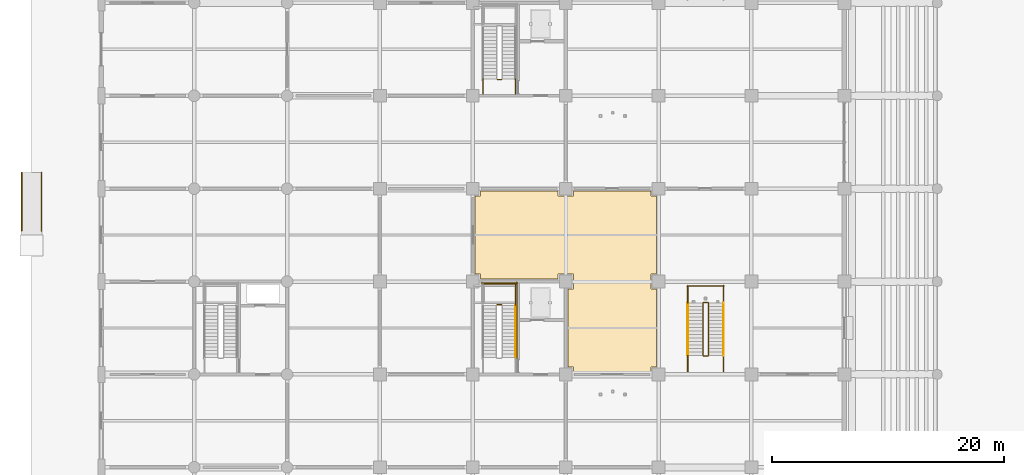
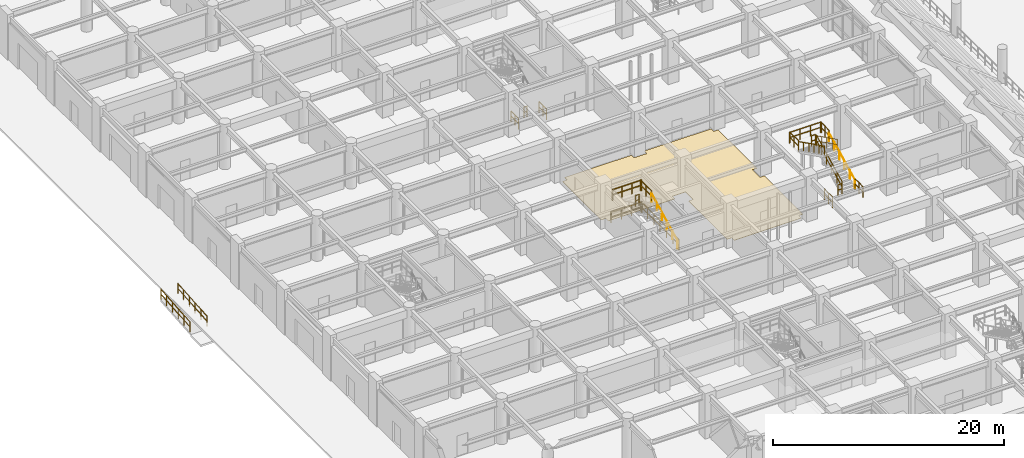
# One storey, part 109 of 125: 22 railings, 1 covering.
"""IFC4 building model written with IfcOpenShell, lengths in metres."""

from ifc_helpers import new_model, si_unit, direction, frame, origin, origin_2d, place, context, subcontext, project, spatial, polyline, circle, outline, extrude, material, layer, layer_set, type_object, element, save


model = new_model("IFC4")

# Units and contexts
model_context = context("Model", 3, precision=1e-05, world=origin(), true_north=direction((0.0, 1.0)))
body_context = subcontext(model_context, "Body", "Model", "MODEL_VIEW")
ifc_project = project(units=[si_unit("LENGTHUNIT", "METRE"), si_unit("AREAUNIT", "SQUARE_METRE"), si_unit("VOLUMEUNIT", "CUBIC_METRE"), si_unit("PLANEANGLEUNIT", "RADIAN"), si_unit("MASSUNIT", "GRAM", prefix="KILO")], contexts=[model_context])

# Site, building, storey
site_placement = place(None, origin())
site = spatial("IfcSite", under=ifc_project, at=site_placement, CompositionType="ELEMENT")
building_placement = place(site_placement, origin())
building = spatial("IfcBuilding", under=site, at=building_placement, Name="Haebicheon Civic Stadium", CompositionType="ELEMENT")
storey_placement = place(building_placement, origin())
storey = spatial("IfcBuildingStorey", under=building, at=storey_placement, Name="L01", CompositionType="ELEMENT", Elevation=0.0)

# Covering
ifc_material_1 = material(Name="Quartz epoxy resin mortar", Category="concrete")
ifc_layer = layer(ifc_material_1, 0.030029296875, Name="Quartz epoxy resin mortar")
ifc_layer_set = layer_set([ifc_layer], Name="Quartz epoxy resin mortar")
covering_type = type_object("IfcCoveringType", Name="COV-FLR-EPX", PredefinedType="FLOORING", material=ifc_layer_set)
covering_placement = place(storey_placement, origin())
element("IfcCovering", 1, at=covering_placement, inside=storey, type_object=covering_type, material=ifc_layer_set, Name="L01 Main Spectator Concourse non-slip floor finish", PredefinedType="FLOORING", context=body_context, shape_type="SweptSolid", body=[
    extrude(outline(polyline([(40.64990234375, 80.199951171875), (40.64990234375, 80.64990234375), (40.199951171875, 80.64990234375), (40.199951171875, 87.35009765625), (40.64990234375, 87.35009765625), (40.64990234375, 88.64990234375), (39.35009765625, 88.64990234375), (39.35009765625, 88.199951171875), (32.64990234375, 88.199951171875), (32.64990234375, 88.64990234375), (32.199951171875, 88.64990234375), (32.199951171875, 95.35009765625), (32.64990234375, 95.35009765625), (32.64990234375, 95.800048828125), (39.35009765625, 95.800048828125), (39.35009765625, 95.35009765625), (40.64990234375, 95.35009765625), (40.64990234375, 95.800048828125), (47.35009765625, 95.800048828125), (47.35009765625, 95.35009765625), (47.800048828125, 95.35009765625), (47.800048828125, 88.64990234375), (47.35009765625, 88.64990234375), (47.35009765625, 87.35009765625), (47.800048828125, 87.35009765625), (47.800048828125, 80.64990234375), (47.35009765625, 80.64990234375), (47.35009765625, 80.199951171875), (40.64990234375, 80.199951171875)])), origin(), (0.0, 0.0, 1.0), 0.030029296875),
])

# Railings
ifc_material_2 = material(Name="Stainless steel 316 and laminated glass", Category="steel")
railing_type_1 = type_object("IfcRailingType", Name="RL-BAL-1200", PredefinedType="BALUSTRADE", material=ifc_material_2)
for number, where, name in (
    (2, (-6.85009765625, 92.360107421875, -0.419921875), "Ramp handrail guard RMP-02 L"),
    (3, (-5.14990234375, 92.360107421875, -0.419921875), "Ramp handrail guard RMP-02 R"),
):
    element("IfcRailing", number, at=place(storey_placement, frame(where)), inside=storey, type_object=railing_type_1, material=ifc_material_2, Name=name, PredefinedType="BALUSTRADE", context=body_context, shape_type="SweptSolid", body=[
        extrude(circle(Radius=0.02392578125, at=origin_2d()), frame((0.0, 0.0, 1.076171875), z_axis=(0.0, 0.996546756972, 0.083033494259), x_axis=(-1.0, 0.0, 0.0)), (0.0, 0.0, 1.0), 5.057373046875),
        extrude(circle(Radius=0.02392578125, at=origin_2d()), frame((0.0, 0.0, 0.550048828125), z_axis=(0.0, 0.996546756972, 0.083033494259), x_axis=(-1.0, 0.0, 0.0)), (0.0, 0.0, 1.0), 5.057373046875),
        extrude(circle(Radius=0.02099609375, at=origin_2d()), origin(), (0.0, 0.0, 1.0), 1.052001953125),
        extrude(circle(Radius=0.02099609375, at=origin_2d()), frame((0.0, 1.008056640625, 0.083984375)), (0.0, 0.0, 1.0), 1.052001953125),
        extrude(circle(Radius=0.02099609375, at=origin_2d()), frame((0.0, 2.015869140625, 0.16796875)), (0.0, 0.0, 1.0), 1.052001953125),
        extrude(circle(Radius=0.02099609375, at=origin_2d()), frame((0.0, 3.02392578125, 0.251953125)), (0.0, 0.0, 1.0), 1.052001953125),
        extrude(circle(Radius=0.02099609375, at=origin_2d()), frame((0.0, 4.03173828125, 0.3359375)), (0.0, 0.0, 1.0), 1.052001953125),
        extrude(circle(Radius=0.02099609375, at=origin_2d()), frame((0.0, 5.039794921875, 0.419921875)), (0.0, 0.0, 1.0), 1.052001953125),
    ])
ifc_material_3 = material(Name="Galvanised painted steel SM355", Category="steel")
railing_type_2 = type_object("IfcRailingType", Name="RL-GRD-1150", PredefinedType="GUARDRAIL", material=ifc_material_3)
railing_1_placement = place(storey_placement, frame((34.47998046875, 86.0, 2.39990234375)))
element("IfcRailing", 4, at=railing_1_placement, inside=storey, type_object=railing_type_2, material=ifc_material_3, Name="L01 ST-03 stair guard 2", PredefinedType="GUARDRAIL", context=body_context, shape_type="SweptSolid", body=[
    extrude(circle(Radius=0.02392578125, at=origin_2d()), frame((0.0, 0.0, 1.1259765625), z_axis=(-1.0, 0.0, 0.0), x_axis=(0.0, -1.0, 0.0)), (0.0, 0.0, 1.0), 0.3798828125),
    extrude(circle(Radius=0.02392578125, at=origin_2d()), frame((0.0, 0.0, 0.574951171875), z_axis=(-1.0, 0.0, 0.0), x_axis=(0.0, -1.0, 0.0)), (0.0, 0.0, 1.0), 0.3798828125),
    extrude(circle(Radius=0.02099609375, at=origin_2d()), origin(), (0.0, 0.0, 1.0), 1.101806640625),
    extrude(circle(Radius=0.02099609375, at=origin_2d()), frame((-0.3798828125, 0.0, 0.0)), (0.0, 0.0, 1.0), 1.101806640625),
])
railing_2_placement = place(storey_placement, frame((35.68994140625, 85.949951171875, 2.39990234375)))
element("IfcRailing", 5, at=railing_2_placement, inside=storey, type_object=railing_type_2, material=ifc_material_3, Name="L01 ST-03 stair guard 3", PredefinedType="GUARDRAIL", context=body_context, shape_type="SweptSolid", body=[
    extrude(circle(Radius=0.02392578125, at=origin_2d()), frame((0.0, 0.0, 1.1259765625), z_axis=(0.0, 1.0, 0.0), x_axis=(-1.0, 0.0, 0.0)), (0.0, 0.0, 1.0), 1.89013671875),
    extrude(circle(Radius=0.02392578125, at=origin_2d()), frame((0.0, 0.0, 0.574951171875), z_axis=(0.0, 1.0, 0.0), x_axis=(-1.0, 0.0, 0.0)), (0.0, 0.0, 1.0), 1.89013671875),
    extrude(circle(Radius=0.02099609375, at=origin_2d()), origin(), (0.0, 0.0, 1.0), 1.101806640625),
    extrude(circle(Radius=0.02099609375, at=origin_2d()), frame((0.0, 0.945068359375, 0.0)), (0.0, 0.0, 1.0), 1.101806640625),
    extrude(circle(Radius=0.02099609375, at=origin_2d()), frame((0.0, 1.89013671875, 0.0)), (0.0, 0.0, 1.0), 1.101806640625),
])
railing_3_placement = place(storey_placement, frame((35.739990234375, 87.7900390625, 2.39990234375)))
element("IfcRailing", 6, at=railing_3_placement, inside=storey, type_object=railing_type_2, material=ifc_material_3, Name="L01 ST-03 stair guard 5", PredefinedType="GUARDRAIL", context=body_context, shape_type="SweptSolid", body=[
    extrude(circle(Radius=0.02392578125, at=origin_2d()), frame((0.0, 0.0, 1.1259765625), z_axis=(-1.0, 0.0, 0.0), x_axis=(0.0, -1.0, 0.0)), (0.0, 0.0, 1.0), 2.89990234375),
    extrude(circle(Radius=0.02392578125, at=origin_2d()), frame((0.0, 0.0, 0.574951171875), z_axis=(-1.0, 0.0, 0.0), x_axis=(0.0, -1.0, 0.0)), (0.0, 0.0, 1.0), 2.89990234375),
    extrude(circle(Radius=0.02099609375, at=origin_2d()), origin(), (0.0, 0.0, 1.0), 1.101806640625),
    extrude(circle(Radius=0.02099609375, at=origin_2d()), frame((-0.966552734375, 0.0, 0.0)), (0.0, 0.0, 1.0), 1.101806640625),
    extrude(circle(Radius=0.02099609375, at=origin_2d()), frame((-1.933349609375, 0.0, 0.0)), (0.0, 0.0, 1.0), 1.101806640625),
    extrude(circle(Radius=0.02099609375, at=origin_2d()), frame((-2.89990234375, 0.0, 0.0)), (0.0, 0.0, 1.0), 1.101806640625),
])
railing_4_placement = place(storey_placement, frame((35.7900390625, 81.35009765625, 0.0)))
element("IfcRailing", 7, at=railing_4_placement, inside=storey, type_object=railing_type_2, material=ifc_material_3, Name="L01 ST-03 stair guard 10", PredefinedType="GUARDRAIL", context=body_context, shape_type="SweptSolid", body=[
    extrude(circle(Radius=0.02392578125, at=origin_2d()), frame((0.0, 0.0, 1.1259765625), z_axis=(0.0, 1.0, 0.0), x_axis=(-1.0, 0.0, 0.0)), (0.0, 0.0, 1.0), 6.58984375),
    extrude(circle(Radius=0.02392578125, at=origin_2d()), frame((0.0, 0.0, 0.574951171875), z_axis=(0.0, 1.0, 0.0), x_axis=(-1.0, 0.0, 0.0)), (0.0, 0.0, 1.0), 6.58984375),
    extrude(circle(Radius=0.02099609375, at=origin_2d()), origin(), (0.0, 0.0, 1.0), 1.101806640625),
    extrude(circle(Radius=0.02099609375, at=origin_2d()), frame((0.0, 1.098388671875, 0.0)), (0.0, 0.0, 1.0), 1.101806640625),
    extrude(circle(Radius=0.02099609375, at=origin_2d()), frame((0.0, 2.196533203125, 0.0)), (0.0, 0.0, 1.0), 1.101806640625),
    extrude(circle(Radius=0.02099609375, at=origin_2d()), frame((0.0, 3.294921875, 0.0)), (0.0, 0.0, 1.0), 1.101806640625),
    extrude(circle(Radius=0.02099609375, at=origin_2d()), frame((0.0, 4.393310546875, 0.0)), (0.0, 0.0, 1.0), 1.101806640625),
    extrude(circle(Radius=0.02099609375, at=origin_2d()), frame((0.0, 5.491455078125, 0.0)), (0.0, 0.0, 1.0), 1.101806640625),
    extrude(circle(Radius=0.02099609375, at=origin_2d()), frame((0.0, 6.58984375, 0.0)), (0.0, 0.0, 1.0), 1.101806640625),
])
railing_5_placement = place(storey_placement, frame((35.840087890625, 87.889892578125, 0.0)))
element("IfcRailing", 8, at=railing_5_placement, inside=storey, type_object=railing_type_2, material=ifc_material_3, Name="L01 ST-03 stair guard 12", PredefinedType="GUARDRAIL", context=body_context, shape_type="SweptSolid", body=[
    extrude(circle(Radius=0.02392578125, at=origin_2d()), frame((0.0, 0.0, 1.1259765625), z_axis=(-1.0, 0.0, 0.0), x_axis=(0.0, -1.0, 0.0)), (0.0, 0.0, 1.0), 3.10009765625),
    extrude(circle(Radius=0.02392578125, at=origin_2d()), frame((0.0, 0.0, 0.574951171875), z_axis=(-1.0, 0.0, 0.0), x_axis=(0.0, -1.0, 0.0)), (0.0, 0.0, 1.0), 3.10009765625),
    extrude(circle(Radius=0.02099609375, at=origin_2d()), origin(), (0.0, 0.0, 1.0), 1.101806640625),
    extrude(circle(Radius=0.02099609375, at=origin_2d()), frame((-1.033447265625, 0.0, 0.0)), (0.0, 0.0, 1.0), 1.101806640625),
    extrude(circle(Radius=0.02099609375, at=origin_2d()), frame((-2.066650390625, 0.0, 0.0)), (0.0, 0.0, 1.0), 1.101806640625),
    extrude(circle(Radius=0.02099609375, at=origin_2d()), frame((-3.10009765625, 0.0, 0.0)), (0.0, 0.0, 1.0), 1.101806640625),
])
railing_6_placement = place(storey_placement, frame((34.4599609375, 105.39990234375, 0.0)))
element("IfcRailing", 9, at=railing_6_placement, inside=storey, type_object=railing_type_2, material=ifc_material_3, Name="L01 ST-04 stair guard 7", PredefinedType="GUARDRAIL", context=body_context, shape_type="SweptSolid", body=[
    extrude(circle(Radius=0.02392578125, at=origin_2d()), frame((0.0, 0.0, 1.1259765625), z_axis=(-1.0, 0.0, 0.0), x_axis=(0.0, -1.0, 0.0)), (0.0, 0.0, 1.0), 0.33984375),
    extrude(circle(Radius=0.02392578125, at=origin_2d()), frame((0.0, 0.0, 0.574951171875), z_axis=(-1.0, 0.0, 0.0), x_axis=(0.0, -1.0, 0.0)), (0.0, 0.0, 1.0), 0.33984375),
    extrude(circle(Radius=0.02099609375, at=origin_2d()), origin(), (0.0, 0.0, 1.0), 1.101806640625),
    extrude(circle(Radius=0.02099609375, at=origin_2d()), frame((-0.33984375, 0.0, 0.0)), (0.0, 0.0, 1.0), 1.101806640625),
])
for number, where, name in (
    (10, (35.68994140625, 104.159912109375, 0.0), "L01 ST-04 stair guard 8"),
    (11, (32.889892578125, 104.159912109375, 0.0), "L01 ST-04 stair guard 9"),
):
    element("IfcRailing", number, at=place(storey_placement, frame(where)), inside=storey, type_object=railing_type_2, material=ifc_material_3, Name=name, PredefinedType="GUARDRAIL", context=body_context, shape_type="SweptSolid", body=[
        extrude(circle(Radius=0.02392578125, at=origin_2d()), frame((0.0, 0.0, 1.1259765625), z_axis=(0.0, 1.0, 0.0), x_axis=(-1.0, 0.0, 0.0)), (0.0, 0.0, 1.0), 1.2900390625),
        extrude(circle(Radius=0.02392578125, at=origin_2d()), frame((0.0, 0.0, 0.574951171875), z_axis=(0.0, 1.0, 0.0), x_axis=(-1.0, 0.0, 0.0)), (0.0, 0.0, 1.0), 1.2900390625),
        extrude(circle(Radius=0.02099609375, at=origin_2d()), origin(), (0.0, 0.0, 1.0), 1.101806640625),
        extrude(circle(Radius=0.02099609375, at=origin_2d()), frame((0.0, 0.64501953125, 0.0)), (0.0, 0.0, 1.0), 1.101806640625),
        extrude(circle(Radius=0.02099609375, at=origin_2d()), frame((0.0, 1.2900390625, 0.0)), (0.0, 0.0, 1.0), 1.101806640625),
    ])
railing_7_placement = place(storey_placement, frame((52.2900390625, 81.64990234375, 0.14990234375)))
element("IfcRailing", 12, at=railing_7_placement, inside=storey, type_object=railing_type_2, material=ifc_material_3, Name="L01 VM-02 stair guard 1", PredefinedType="GUARDRAIL", context=body_context, shape_type="SweptSolid", body=[
    extrude(circle(Radius=0.02392578125, at=origin_2d()), frame((0.0, 0.0, 1.1259765625), z_axis=(0.0, 0.894427191, 0.4472135955), x_axis=(-1.0, 0.0, 0.0)), (0.0, 0.0, 1.0), 5.03125),
    extrude(circle(Radius=0.02392578125, at=origin_2d()), frame((0.0, 0.0, 0.574951171875), z_axis=(0.0, 0.894427191, 0.4472135955), x_axis=(-1.0, 0.0, 0.0)), (0.0, 0.0, 1.0), 5.03125),
    extrude(circle(Radius=0.02099609375, at=origin_2d()), origin(), (0.0, 0.0, 1.0), 1.101806640625),
    extrude(circle(Radius=0.02099609375, at=origin_2d()), frame((0.0, 0.89990234375, 0.449951171875)), (0.0, 0.0, 1.0), 1.101806640625),
    extrude(circle(Radius=0.02099609375, at=origin_2d()), frame((0.0, 1.800048828125, 0.89990234375)), (0.0, 0.0, 1.0), 1.101806640625),
    extrude(circle(Radius=0.02099609375, at=origin_2d()), frame((0.0, 2.699951171875, 1.35009765625)), (0.0, 0.0, 1.0), 1.101806640625),
    extrude(circle(Radius=0.02099609375, at=origin_2d()), frame((0.0, 3.60009765625, 1.800048828125)), (0.0, 0.0, 1.0), 1.101806640625),
    extrude(circle(Radius=0.02099609375, at=origin_2d()), frame((0.0, 4.5, 2.25)), (0.0, 0.0, 1.0), 1.101806640625),
])
railing_8_placement = place(storey_placement, frame((52.239990234375, 86.199951171875, 2.39990234375)))
element("IfcRailing", 13, at=railing_8_placement, inside=storey, type_object=railing_type_2, material=ifc_material_3, Name="L01 VM-02 stair guard 2", PredefinedType="GUARDRAIL", context=body_context, shape_type="SweptSolid", body=[
    extrude(circle(Radius=0.02392578125, at=origin_2d()), frame((0.0, 0.0, 1.1259765625), z_axis=(-1.0, 0.0, 0.0), x_axis=(0.0, -1.0, 0.0)), (0.0, 0.0, 1.0), 0.3798828125),
    extrude(circle(Radius=0.02392578125, at=origin_2d()), frame((0.0, 0.0, 0.574951171875), z_axis=(-1.0, 0.0, 0.0), x_axis=(0.0, -1.0, 0.0)), (0.0, 0.0, 1.0), 0.3798828125),
    extrude(circle(Radius=0.02099609375, at=origin_2d()), origin(), (0.0, 0.0, 1.0), 1.101806640625),
    extrude(circle(Radius=0.02099609375, at=origin_2d()), frame((-0.3798828125, 0.0, 0.0)), (0.0, 0.0, 1.0), 1.101806640625),
])
for number, where, name in (
    (14, (53.590087890625, 86.14990234375, 2.39990234375), "L01 VM-02 stair guard 3"),
    (15, (50.510009765625, 86.14990234375, 2.39990234375), "L01 VM-02 stair guard 4"),
):
    element("IfcRailing", number, at=place(storey_placement, frame(where)), inside=storey, type_object=railing_type_2, material=ifc_material_3, Name=name, PredefinedType="GUARDRAIL", context=body_context, shape_type="SweptSolid", body=[
        extrude(circle(Radius=0.02392578125, at=origin_2d()), frame((0.0, 0.0, 1.1259765625), z_axis=(0.0, 1.0, 0.0), x_axis=(-1.0, 0.0, 0.0)), (0.0, 0.0, 1.0), 1.5),
        extrude(circle(Radius=0.02392578125, at=origin_2d()), frame((0.0, 0.0, 0.574951171875), z_axis=(0.0, 1.0, 0.0), x_axis=(-1.0, 0.0, 0.0)), (0.0, 0.0, 1.0), 1.5),
        extrude(circle(Radius=0.02099609375, at=origin_2d()), origin(), (0.0, 0.0, 1.0), 1.101806640625),
        extrude(circle(Radius=0.02099609375, at=origin_2d()), frame((0.0, 0.75, 0.0)), (0.0, 0.0, 1.0), 1.101806640625),
        extrude(circle(Radius=0.02099609375, at=origin_2d()), frame((0.0, 1.5, 0.0)), (0.0, 0.0, 1.0), 1.101806640625),
    ])
railing_9_placement = place(storey_placement, frame((53.639892578125, 87.60009765625, 2.39990234375)))
element("IfcRailing", 16, at=railing_9_placement, inside=storey, type_object=railing_type_2, material=ifc_material_3, Name="L01 VM-02 stair guard 5", PredefinedType="GUARDRAIL", context=body_context, shape_type="SweptSolid", body=[
    extrude(circle(Radius=0.02392578125, at=origin_2d()), frame((0.0, 0.0, 1.1259765625), z_axis=(-1.0, 0.0, 0.0), x_axis=(0.0, -1.0, 0.0)), (0.0, 0.0, 1.0), 3.179931640625),
    extrude(circle(Radius=0.02392578125, at=origin_2d()), frame((0.0, 0.0, 0.574951171875), z_axis=(-1.0, 0.0, 0.0), x_axis=(0.0, -1.0, 0.0)), (0.0, 0.0, 1.0), 3.179931640625),
    extrude(circle(Radius=0.02099609375, at=origin_2d()), origin(), (0.0, 0.0, 1.0), 1.101806640625),
    extrude(circle(Radius=0.02099609375, at=origin_2d()), frame((-1.06005859375, 0.0, 0.0)), (0.0, 0.0, 1.0), 1.101806640625),
    extrude(circle(Radius=0.02099609375, at=origin_2d()), frame((-2.119873046875, 0.0, 0.0)), (0.0, 0.0, 1.0), 1.101806640625),
    extrude(circle(Radius=0.02099609375, at=origin_2d()), frame((-3.179931640625, 0.0, 0.0)), (0.0, 0.0, 1.0), 1.101806640625),
])
railing_10_placement = place(storey_placement, frame((51.81005859375, 86.14990234375, 2.550048828125)))
element("IfcRailing", 17, at=railing_10_placement, inside=storey, type_object=railing_type_2, material=ifc_material_3, Name="L01 VM-02 stair guard 6", PredefinedType="GUARDRAIL", context=body_context, shape_type="SweptSolid", body=[
    extrude(circle(Radius=0.02392578125, at=origin_2d()), frame((0.0, 0.0, 1.1259765625), z_axis=(0.0, -0.894427191, 0.4472135955), x_axis=(1.0, 0.0, 0.0)), (0.0, 0.0, 1.0), 5.03125),
    extrude(circle(Radius=0.02392578125, at=origin_2d()), frame((0.0, 0.0, 0.574951171875), z_axis=(0.0, -0.894427191, 0.4472135955), x_axis=(1.0, 0.0, 0.0)), (0.0, 0.0, 1.0), 5.03125),
    extrude(circle(Radius=0.02099609375, at=origin_2d()), origin(), (0.0, 0.0, 1.0), 1.101806640625),
    extrude(circle(Radius=0.02099609375, at=origin_2d()), frame((0.0, -0.89990234375, 0.449951171875)), (0.0, 0.0, 1.0), 1.101806640625),
    extrude(circle(Radius=0.02099609375, at=origin_2d()), frame((0.0, -1.800048828125, 0.89990234375)), (0.0, 0.0, 1.0), 1.101806640625),
    extrude(circle(Radius=0.02099609375, at=origin_2d()), frame((0.0, -2.699951171875, 1.35009765625)), (0.0, 0.0, 1.0), 1.101806640625),
    extrude(circle(Radius=0.02099609375, at=origin_2d()), frame((0.0, -3.60009765625, 1.800048828125)), (0.0, 0.0, 1.0), 1.101806640625),
    extrude(circle(Radius=0.02099609375, at=origin_2d()), frame((0.0, -4.5, 2.25)), (0.0, 0.0, 1.0), 1.101806640625),
])
railing_11_placement = place(storey_placement, frame((52.239990234375, 81.60009765625, 0.0)))
element("IfcRailing", 18, at=railing_11_placement, inside=storey, type_object=railing_type_2, material=ifc_material_3, Name="L01 VM-02 stair guard 7", PredefinedType="GUARDRAIL", context=body_context, shape_type="SweptSolid", body=[
    extrude(circle(Radius=0.02392578125, at=origin_2d()), frame((0.0, 0.0, 1.1259765625), z_axis=(-1.0, 0.0, 0.0), x_axis=(0.0, -1.0, 0.0)), (0.0, 0.0, 1.0), 0.3798828125),
    extrude(circle(Radius=0.02392578125, at=origin_2d()), frame((0.0, 0.0, 0.574951171875), z_axis=(-1.0, 0.0, 0.0), x_axis=(0.0, -1.0, 0.0)), (0.0, 0.0, 1.0), 0.3798828125),
    extrude(circle(Radius=0.02099609375, at=origin_2d()), origin(), (0.0, 0.0, 1.0), 1.101806640625),
    extrude(circle(Radius=0.02099609375, at=origin_2d()), frame((-0.3798828125, 0.0, 0.0)), (0.0, 0.0, 1.0), 1.101806640625),
])
for number, where, name in (
    (19, (53.590087890625, 80.25, 0.0), "L01 VM-02 stair guard 8"),
    (20, (50.510009765625, 80.25, 0.0), "L01 VM-02 stair guard 9"),
):
    element("IfcRailing", number, at=place(storey_placement, frame(where)), inside=storey, type_object=railing_type_2, material=ifc_material_3, Name=name, PredefinedType="GUARDRAIL", context=body_context, shape_type="SweptSolid", body=[
        extrude(circle(Radius=0.02392578125, at=origin_2d()), frame((0.0, 0.0, 1.1259765625), z_axis=(0.0, 1.0, 0.0), x_axis=(-1.0, 0.0, 0.0)), (0.0, 0.0, 1.0), 1.39990234375),
        extrude(circle(Radius=0.02392578125, at=origin_2d()), frame((0.0, 0.0, 0.574951171875), z_axis=(0.0, 1.0, 0.0), x_axis=(-1.0, 0.0, 0.0)), (0.0, 0.0, 1.0), 1.39990234375),
        extrude(circle(Radius=0.02099609375, at=origin_2d()), origin(), (0.0, 0.0, 1.0), 1.101806640625),
        extrude(circle(Radius=0.02099609375, at=origin_2d()), frame((0.0, 0.699951171875, 0.0)), (0.0, 0.0, 1.0), 1.101806640625),
        extrude(circle(Radius=0.02099609375, at=origin_2d()), frame((0.0, 1.39990234375, 0.0)), (0.0, 0.0, 1.0), 1.101806640625),
    ])
ifc_material_4 = material(Name="Stainless steel 316", Category="steel")
railing_type_3 = type_object("IfcRailingType", Name="RL-HND-900", PredefinedType="HANDRAIL", material=ifc_material_4)
for number, where, name in (
    (21, (35.68994140625, 81.449951171875, 0.14990234375), "L01 ST-03 stair handrail 1"),
    (22, (53.590087890625, 81.64990234375, 0.14990234375), "L01 VM-02 stair handrail 1"),
):
    element("IfcRailing", number, at=place(storey_placement, frame(where)), inside=storey, type_object=railing_type_3, material=ifc_material_4, Name=name, PredefinedType="HANDRAIL", context=body_context, shape_type="SweptSolid", body=[
        extrude(circle(Radius=0.02392578125, at=origin_2d()), frame((0.0, 0.0, 0.8759765625), z_axis=(0.0, 0.894427191, 0.4472135955), x_axis=(-1.0, 0.0, 0.0)), (0.0, 0.0, 1.0), 5.03125),
        extrude(circle(Radius=0.02099609375, at=origin_2d()), origin(), (0.0, 0.0, 1.0), 0.851806640625),
        extrude(circle(Radius=0.02099609375, at=origin_2d()), frame((0.0, 0.89990234375, 0.449951171875)), (0.0, 0.0, 1.0), 0.851806640625),
        extrude(circle(Radius=0.02099609375, at=origin_2d()), frame((0.0, 1.800048828125, 0.89990234375)), (0.0, 0.0, 1.0), 0.851806640625),
        extrude(circle(Radius=0.02099609375, at=origin_2d()), frame((0.0, 2.699951171875, 1.35009765625)), (0.0, 0.0, 1.0), 0.851806640625),
        extrude(circle(Radius=0.02099609375, at=origin_2d()), frame((0.0, 3.60009765625, 1.800048828125)), (0.0, 0.0, 1.0), 0.851806640625),
        extrude(circle(Radius=0.02099609375, at=origin_2d()), frame((0.0, 4.5, 2.25)), (0.0, 0.0, 1.0), 0.851806640625),
    ])
railing_12_placement = place(storey_placement, frame((50.510009765625, 86.14990234375, 2.550048828125)))
element("IfcRailing", 23, at=railing_12_placement, inside=storey, type_object=railing_type_3, material=ifc_material_4, Name="L01 VM-02 stair handrail 2", PredefinedType="HANDRAIL", context=body_context, shape_type="SweptSolid", body=[
    extrude(circle(Radius=0.02392578125, at=origin_2d()), frame((0.0, 0.0, 0.8759765625), z_axis=(0.0, -0.894427191, 0.4472135955), x_axis=(1.0, 0.0, 0.0)), (0.0, 0.0, 1.0), 5.03125),
    extrude(circle(Radius=0.02099609375, at=origin_2d()), origin(), (0.0, 0.0, 1.0), 0.851806640625),
    extrude(circle(Radius=0.02099609375, at=origin_2d()), frame((0.0, -0.89990234375, 0.449951171875)), (0.0, 0.0, 1.0), 0.851806640625),
    extrude(circle(Radius=0.02099609375, at=origin_2d()), frame((0.0, -1.800048828125, 0.89990234375)), (0.0, 0.0, 1.0), 0.851806640625),
    extrude(circle(Radius=0.02099609375, at=origin_2d()), frame((0.0, -2.699951171875, 1.35009765625)), (0.0, 0.0, 1.0), 0.851806640625),
    extrude(circle(Radius=0.02099609375, at=origin_2d()), frame((0.0, -3.60009765625, 1.800048828125)), (0.0, 0.0, 1.0), 0.851806640625),
    extrude(circle(Radius=0.02099609375, at=origin_2d()), frame((0.0, -4.5, 2.25)), (0.0, 0.0, 1.0), 0.851806640625),
])

save(model, "model.ifc")
